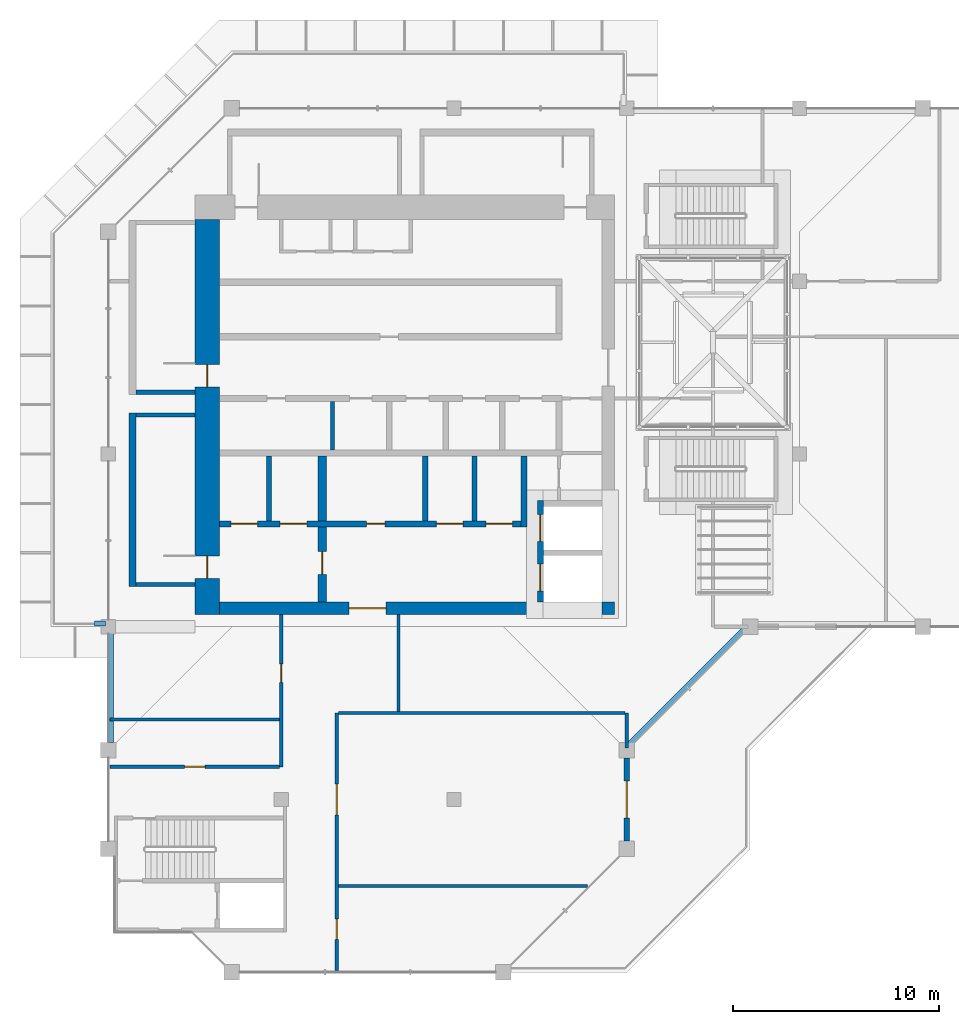
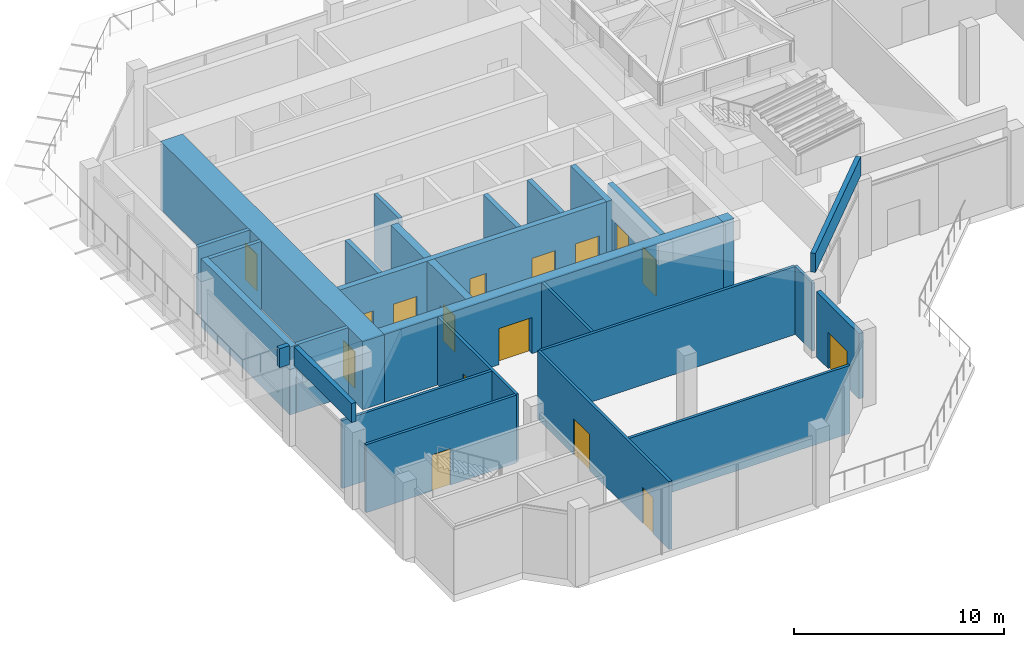
# One storey, part 8 of 15: 28 walls, 16 doors, 16 openings.
"""IFC4 building model written with IfcOpenShell, lengths in metres."""

from ifc_helpers import new_model, si_unit, direction, frame, frame_2d, origin, place, context, subcontext, project, spatial, rectangle, extrude, material, layer, layer_set, type_object, element, fill, save


model = new_model("IFC4")

# Units and contexts
model_context = context("Model", 3, precision=1e-05, world=origin(), true_north=direction((0.0, 1.0)))
body_context = subcontext(model_context, "Body", "Model", "MODEL_VIEW")
ifc_project = project(units=[si_unit("LENGTHUNIT", "METRE"), si_unit("AREAUNIT", "SQUARE_METRE"), si_unit("VOLUMEUNIT", "CUBIC_METRE"), si_unit("PLANEANGLEUNIT", "RADIAN"), si_unit("MASSUNIT", "GRAM", prefix="KILO")], contexts=[model_context])

# Site, building, storey
site_placement = place(None, origin())
site = spatial("IfcSite", under=ifc_project, at=site_placement, CompositionType="ELEMENT")
building_placement = place(site_placement, origin())
building = spatial("IfcBuilding", under=site, at=building_placement, Name="Kawkab Arch Medical Tower", CompositionType="ELEMENT")
storey_placement = place(building_placement, frame((0.0, 0.0, 332.199951171875)))
storey = spatial("IfcBuildingStorey", under=building, at=storey_placement, Name="L77", CompositionType="ELEMENT", Elevation=332.199951171875)

# Wall, openings, doors
ifc_material_1 = material(Name="Concrete C40/50", Category="concrete")
ifc_layer_1 = layer(ifc_material_1, 1.199951171875)
ifc_layer_set_1 = layer_set([ifc_layer_1], Name="Concrete C40/50")
wall_type_1 = type_object("IfcWallType", Name="Core ring wall 1200 C40/50", PredefinedType="SHEAR", material=ifc_layer_set_1)
wall_1_placement = place(storey_placement, frame((4.800048828125, -24.60009765625, 0.0), z_axis=(0.0, 0.0, 1.0), x_axis=(0.0, 1.0, 0.0)))
wall_1 = element("IfcWall", 1, at=wall_1_placement, inside=storey, type_object=wall_type_1, Name="L77 core wall", PredefinedType="SHEAR", context=body_context, shape_type="SweptSolid", body=[
    extrude(rectangle(XDim=19.2001953125, YDim=1.199951171875, at=frame_2d((9.60009765625, 0.0))), origin(), (0.0, 0.0, 1.0), 3.949951171875),
])
opening_1_placement = place(wall_1_placement, frame((11.050048828125, 0.0, 0.0)))
opening_1 = element("IfcOpeningElement", 2, at=opening_1_placement, cuts=wall_1, Name="Opening SD", PredefinedType="OPENING", context=body_context, shape_type="SweptSolid", body=[
    extrude(rectangle(XDim=1.10009765625, YDim=2.10009765625, at=frame_2d((0.550048828125, 1.050048828125))), frame((0.0, 0.60986328125, 0.0), z_axis=(0.0, -1.0, 0.0), x_axis=(1.0, 0.0, 0.0)), (0.0, 0.0, 1.0), 1.219970703125),
])
opening_2_placement = place(wall_1_placement, frame((1.75, 0.0, 0.0)))
opening_2 = element("IfcOpeningElement", 3, at=opening_2_placement, cuts=wall_1, Name="Opening SD", PredefinedType="OPENING", context=body_context, shape_type="SweptSolid", body=[
    extrude(rectangle(XDim=1.10009765625, YDim=2.10009765625, at=frame_2d((0.550048828125, 1.050048828125))), frame((0.0, 0.60986328125, 0.0), z_axis=(0.0, -1.0, 0.0), x_axis=(1.0, 0.0, 0.0)), (0.0, 0.0, 1.0), 1.219970703125),
])
ifc_material_2 = material(Name="Hollow metal fire door leaf")
door_type_1 = type_object("IfcDoorType", Name="Exit stair door 1100", OperationType="SINGLE_SWING_LEFT", PredefinedType="DOOR", material=ifc_material_2)
door_1_placement = place(opening_1_placement, origin())
door_1 = element("IfcDoor", 4, at=door_1_placement, inside=storey, type_object=door_type_1, Name="L77 Exit stair ST1 door", OperationType="SINGLE_SWING_LEFT", OverallHeight=2.10009765625, OverallWidth=1.10009765625, PredefinedType="DOOR", context=body_context, shape_type="SweptSolid", body=[
    extrude(rectangle(XDim=1.10009765625, YDim=2.10009765625, at=frame_2d((0.550048828125, 1.050048828125))), frame((0.0, 0.02490234375, 0.0), z_axis=(0.0, -1.0, 0.0), x_axis=(1.0, 0.0, 0.0)), (0.0, 0.0, 1.0), 0.050048828125),
])
fill(opening_1, door_1)
door_2_placement = place(opening_2_placement, origin())
door_2 = element("IfcDoor", 5, at=door_2_placement, inside=storey, type_object=door_type_1, Name="L77 Exit stair ST2 door", OperationType="SINGLE_SWING_LEFT", OverallHeight=2.10009765625, OverallWidth=1.10009765625, PredefinedType="DOOR", context=body_context, shape_type="SweptSolid", body=[
    extrude(rectangle(XDim=1.10009765625, YDim=2.10009765625, at=frame_2d((0.550048828125, 1.050048828125))), frame((0.0, 0.02490234375, 0.0), z_axis=(0.0, -1.0, 0.0), x_axis=(1.0, 0.0, 0.0)), (0.0, 0.0, 1.0), 0.050048828125),
])
fill(opening_2, door_2)

# Wall, opening, door
ifc_material_3 = material(Name="Concrete C40/50", Category="concrete")
ifc_layer_2 = layer(ifc_material_3, 0.60009765625)
ifc_layer_set_2 = layer_set([ifc_layer_2], Name="Concrete C40/50")
wall_type_2 = type_object("IfcWallType", Name="Core ring wall 600 C40/50", PredefinedType="SHEAR", material=ifc_layer_set_2)
wall_2_placement = place(storey_placement, frame((5.39990234375, -24.300048828125, 0.0), z_axis=(0.0, 0.0, 1.0), x_axis=(1.0, 0.0, 0.0)))
wall_2 = element("IfcWall", 6, at=wall_2_placement, inside=storey, type_object=wall_type_2, Name="L77 core wall", PredefinedType="SHEAR", context=body_context, shape_type="SweptSolid", body=[
    extrude(rectangle(XDim=18.60009765625, YDim=0.60009765625, at=frame_2d((9.300048828125, 0.0))), origin(), (0.0, 0.0, 1.0), 3.949951171875),
])
opening_3_placement = place(wall_2_placement, frame((6.300048828125, 0.0, 0.0)))
opening_3 = element("IfcOpeningElement", 7, at=opening_3_placement, cuts=wall_2, Name="Opening PD", PredefinedType="OPENING", context=body_context, shape_type="SweptSolid", body=[
    extrude(rectangle(XDim=1.800048828125, YDim=2.10009765625, at=frame_2d((0.89990234375, 1.050048828125))), frame((0.0, 0.31005859375, 0.0), z_axis=(0.0, -1.0, 0.0), x_axis=(1.0, 0.0, 0.0)), (0.0, 0.0, 1.0), 0.6201171875),
])
ifc_material_4 = material(Name="Hollow metal fire door leaf")
door_type_2 = type_object("IfcDoorType", Name="Core entrance doors 1800", OperationType="DOUBLE_DOOR_SINGLE_SWING", PredefinedType="DOOR", material=ifc_material_4)
door_3_placement = place(opening_3_placement, origin())
door_3 = element("IfcDoor", 8, at=door_3_placement, inside=storey, type_object=door_type_2, Name="L77 South entrance doors", OperationType="DOUBLE_DOOR_SINGLE_SWING", OverallHeight=2.10009765625, OverallWidth=1.800048828125, PredefinedType="DOOR", context=body_context, shape_type="SweptSolid", body=[
    extrude(rectangle(XDim=1.800048828125, YDim=2.10009765625, at=frame_2d((0.89990234375, 1.050048828125))), frame((0.0, 0.02490234375, 0.0), z_axis=(0.0, -1.0, 0.0), x_axis=(1.0, 0.0, 0.0)), (0.0, 0.0, 1.0), 0.050048828125),
])
fill(opening_3, door_3)

# Walls
wall_3_placement = place(storey_placement, frame((24.300048828125, -24.60009765625, 0.0), z_axis=(0.0, 0.0, 1.0), x_axis=(0.0, 1.0, 0.0)))
element("IfcWall", 9, at=wall_3_placement, inside=storey, type_object=wall_type_2, Name="L77 core wall", PredefinedType="SHEAR", context=body_context, shape_type="SweptSolid", body=[
    extrude(rectangle(XDim=0.60009765625, YDim=0.60009765625, at=frame_2d((0.300048828125, 0.0))), origin(), (0.0, 0.0, 1.0), 3.949951171875),
])
ifc_material_5 = material(Name="Concrete C60/75", Category="concrete")
ifc_layer_3 = layer(ifc_material_5, 0.25)
ifc_layer_set_3 = layer_set([ifc_layer_3], Name="Concrete C60/75")
wall_type_3 = type_object("IfcWallType", Name="Core shear wall 250 C60/75", PredefinedType="SHEAR", material=ifc_layer_set_3)
for number, where, z_axis, x_axis, name in (
    (10, (7.800048828125, -20.050048828125, 0.0), (0.0, 0.0, 1.0), (0.0, 1.0, 0.0), "L77 core shear wall"),
    (11, (15.39990234375, -20.050048828125, 0.0), (0.0, 0.0, 1.0), (0.0, 1.0, 0.0), "L77 core shear wall"),
    (12, (17.800048828125, -20.050048828125, 0.0), (0.0, 0.0, 1.0), (0.0, 1.0, 0.0), "L77 core shear wall"),
):
    element("IfcWall", number, at=place(storey_placement, frame(where, z_axis=z_axis, x_axis=x_axis)), inside=storey, type_object=wall_type_3, Name=name, PredefinedType="SHEAR", context=body_context, shape_type="SweptSolid", body=[
        extrude(rectangle(XDim=3.150146484375, YDim=0.25, at=frame_2d((1.5751953125, 0.0))), origin(), (0.0, 0.0, 1.0), 3.949951171875),
    ])

# Wall, openings, doors
ifc_material_6 = material(Name="Concrete C60/75", Category="concrete")
ifc_layer_4 = layer(ifc_material_6, 0.300048828125)
ifc_layer_set_4 = layer_set([ifc_layer_4], Name="Concrete C60/75")
wall_type_4 = type_object("IfcWallType", Name="Core shear wall 300 C60/75", PredefinedType="SHEAR", material=ifc_layer_set_4)
wall_4_placement = place(storey_placement, frame((5.39990234375, -20.199951171875, 0.0), z_axis=(0.0, 0.0, 1.0), x_axis=(1.0, 0.0, 0.0)))
wall_4 = element("IfcWall", 13, at=wall_4_placement, inside=storey, type_object=wall_type_4, Name="L77 core shear wall", PredefinedType="SHEAR", context=body_context, shape_type="SweptSolid", body=[
    extrude(rectangle(XDim=14.650146484375, YDim=0.300048828125, at=frame_2d((7.3251953125, 0.0))), origin(), (0.0, 0.0, 1.0), 3.949951171875),
])
opening_4_placement = place(wall_4_placement, frame((10.550048828125, 0.0, 0.0)))
opening_4 = element("IfcOpeningElement", 14, at=opening_4_placement, cuts=wall_4, Name="Opening LD2", PredefinedType="OPENING", context=body_context, shape_type="SweptSolid", body=[
    extrude(rectangle(XDim=1.300048828125, YDim=2.10009765625, at=frame_2d((0.64990234375, 1.050048828125))), frame((0.0, 0.159912109375, 0.0), z_axis=(0.0, -1.0, 0.0), x_axis=(1.0, 0.0, 0.0)), (0.0, 0.0, 1.0), 0.320068359375),
])
opening_5_placement = place(wall_4_placement, frame((12.949951171875, 0.0, 0.0)))
opening_5 = element("IfcOpeningElement", 15, at=opening_5_placement, cuts=wall_4, Name="Opening LD2", PredefinedType="OPENING", context=body_context, shape_type="SweptSolid", body=[
    extrude(rectangle(XDim=1.300048828125, YDim=2.10009765625, at=frame_2d((0.64990234375, 1.050048828125))), frame((0.0, 0.159912109375, 0.0), z_axis=(0.0, -1.0, 0.0), x_axis=(1.0, 0.0, 0.0)), (0.0, 0.0, 1.0), 0.320068359375),
])
opening_6_placement = place(wall_4_placement, frame((0.550048828125, 0.0, 0.0)))
opening_6 = element("IfcOpeningElement", 16, at=opening_6_placement, cuts=wall_4, Name="Opening LD2", PredefinedType="OPENING", context=body_context, shape_type="SweptSolid", body=[
    extrude(rectangle(XDim=1.300048828125, YDim=2.10009765625, at=frame_2d((0.64990234375, 1.050048828125))), frame((0.0, 0.159912109375, 0.0), z_axis=(0.0, -1.0, 0.0), x_axis=(1.0, 0.0, 0.0)), (0.0, 0.0, 1.0), 0.320068359375),
])
opening_7_placement = place(wall_4_placement, frame((2.949951171875, 0.0, 0.0)))
opening_7 = element("IfcOpeningElement", 17, at=opening_7_placement, cuts=wall_4, Name="Opening LD2", PredefinedType="OPENING", context=body_context, shape_type="SweptSolid", body=[
    extrude(rectangle(XDim=1.300048828125, YDim=2.10009765625, at=frame_2d((0.64990234375, 1.050048828125))), frame((0.0, 0.159912109375, 0.0), z_axis=(0.0, -1.0, 0.0), x_axis=(1.0, 0.0, 0.0)), (0.0, 0.0, 1.0), 0.320068359375),
])
opening_8_placement = place(wall_4_placement, frame((7.14990234375, 0.0, 0.0)))
opening_8 = element("IfcOpeningElement", 18, at=opening_8_placement, cuts=wall_4, Name="Opening RD", PredefinedType="OPENING", context=body_context, shape_type="SweptSolid", body=[
    extrude(rectangle(XDim=0.89990234375, YDim=2.10009765625, at=frame_2d((0.449951171875, 1.050048828125))), frame((0.0, 0.159912109375, 0.0), z_axis=(0.0, -1.0, 0.0), x_axis=(1.0, 0.0, 0.0)), (0.0, 0.0, 1.0), 0.320068359375),
])
ifc_material_7 = material(Name="Hollow metal fire door leaf")
door_type_3 = type_object("IfcDoorType", Name="Core room door 900", OperationType="SINGLE_SWING_LEFT", PredefinedType="DOOR", material=ifc_material_7)
door_4_placement = place(opening_8_placement, origin())
door_4 = element("IfcDoor", 19, at=door_4_placement, inside=storey, type_object=door_type_3, Name="L77 Linen store door", OperationType="SINGLE_SWING_LEFT", OverallHeight=2.10009765625, OverallWidth=0.89990234375, PredefinedType="DOOR", context=body_context, shape_type="SweptSolid", body=[
    extrude(rectangle(XDim=0.89990234375, YDim=2.10009765625, at=frame_2d((0.449951171875, 1.050048828125))), frame((0.0, 0.02490234375, 0.0), z_axis=(0.0, -1.0, 0.0), x_axis=(1.0, 0.0, 0.0)), (0.0, 0.0, 1.0), 0.050048828125),
])
fill(opening_8, door_4)
ifc_material_8 = material(Name="Stainless steel lift door leaf", Category="steel")
door_type_4 = type_object("IfcDoorType", Name="Lift landing door 1300", OperationType="DOUBLE_DOOR_SLIDING", PredefinedType="DOOR", material=ifc_material_8)
door_5_placement = place(opening_4_placement, origin())
door_5 = element("IfcDoor", 20, at=door_5_placement, inside=storey, type_object=door_type_4, Name="L77 Lift landing door BD3", OperationType="DOUBLE_DOOR_SLIDING", OverallHeight=2.10009765625, OverallWidth=1.300048828125, PredefinedType="DOOR", context=body_context, shape_type="SweptSolid", body=[
    extrude(rectangle(XDim=1.300048828125, YDim=2.10009765625, at=frame_2d((0.64990234375, 1.050048828125))), frame((0.0, 0.02490234375, 0.0), z_axis=(0.0, -1.0, 0.0), x_axis=(1.0, 0.0, 0.0)), (0.0, 0.0, 1.0), 0.050048828125),
])
fill(opening_4, door_5)
door_6_placement = place(opening_5_placement, origin())
door_6 = element("IfcDoor", 21, at=door_6_placement, inside=storey, type_object=door_type_4, Name="L77 Lift landing door BD4", OperationType="DOUBLE_DOOR_SLIDING", OverallHeight=2.10009765625, OverallWidth=1.300048828125, PredefinedType="DOOR", context=body_context, shape_type="SweptSolid", body=[
    extrude(rectangle(XDim=1.300048828125, YDim=2.10009765625, at=frame_2d((0.64990234375, 1.050048828125))), frame((0.0, 0.02490234375, 0.0), z_axis=(0.0, -1.0, 0.0), x_axis=(1.0, 0.0, 0.0)), (0.0, 0.0, 1.0), 0.050048828125),
])
fill(opening_5, door_6)
door_7_placement = place(opening_6_placement, origin())
door_7 = element("IfcDoor", 22, at=door_7_placement, inside=storey, type_object=door_type_4, Name="L77 Lift landing door FL1", OperationType="DOUBLE_DOOR_SLIDING", OverallHeight=2.10009765625, OverallWidth=1.300048828125, PredefinedType="DOOR", context=body_context, shape_type="SweptSolid", body=[
    extrude(rectangle(XDim=1.300048828125, YDim=2.10009765625, at=frame_2d((0.64990234375, 1.050048828125))), frame((0.0, 0.02490234375, 0.0), z_axis=(0.0, -1.0, 0.0), x_axis=(1.0, 0.0, 0.0)), (0.0, 0.0, 1.0), 0.050048828125),
])
fill(opening_6, door_7)
door_8_placement = place(opening_7_placement, origin())
door_8 = element("IfcDoor", 23, at=door_8_placement, inside=storey, type_object=door_type_4, Name="L77 Lift landing door FL2", OperationType="DOUBLE_DOOR_SLIDING", OverallHeight=2.10009765625, OverallWidth=1.300048828125, PredefinedType="DOOR", context=body_context, shape_type="SweptSolid", body=[
    extrude(rectangle(XDim=1.300048828125, YDim=2.10009765625, at=frame_2d((0.64990234375, 1.050048828125))), frame((0.0, 0.02490234375, 0.0), z_axis=(0.0, -1.0, 0.0), x_axis=(1.0, 0.0, 0.0)), (0.0, 0.0, 1.0), 0.050048828125),
])
fill(opening_7, door_8)

# Wall
wall_5_placement = place(storey_placement, frame((20.199951171875, -20.35009765625, 0.0), z_axis=(0.0, 0.0, 1.0), x_axis=(0.0, 1.0, 0.0)))
element("IfcWall", 24, at=wall_5_placement, inside=storey, type_object=wall_type_4, Name="L77 core shear wall", PredefinedType="SHEAR", context=body_context, shape_type="SweptSolid", body=[
    extrude(rectangle(XDim=3.4501953125, YDim=0.300048828125, at=frame_2d((1.72509765625, 0.0))), origin(), (0.0, 0.0, 1.0), 3.949951171875),
])

# Wall, openings, doors
wall_6_placement = place(storey_placement, frame((21.0, -24.0, 0.0), z_axis=(0.0, 0.0, 1.0), x_axis=(0.0, 1.0, 0.0)))
wall_6 = element("IfcWall", 25, at=wall_6_placement, inside=storey, type_object=wall_type_4, Name="L77 core shear wall", PredefinedType="SHEAR", context=body_context, shape_type="SweptSolid", body=[
    extrude(rectangle(XDim=4.949951171875, YDim=0.300048828125, at=frame_2d((2.47509765625, 0.0))), origin(), (0.0, 0.0, 1.0), 3.949951171875),
])
opening_9_placement = place(wall_6_placement, frame((2.949951171875, 0.0, 0.0)))
opening_9 = element("IfcOpeningElement", 26, at=opening_9_placement, cuts=wall_6, Name="Opening LD2", PredefinedType="OPENING", context=body_context, shape_type="SweptSolid", body=[
    extrude(rectangle(XDim=1.300048828125, YDim=2.10009765625, at=frame_2d((0.64990234375, 1.050048828125))), frame((0.0, 0.159912109375, 0.0), z_axis=(0.0, -1.0, 0.0), x_axis=(1.0, 0.0, 0.0)), (0.0, 0.0, 1.0), 0.320068359375),
])
opening_10_placement = place(wall_6_placement, frame((0.550048828125, 0.0, 0.0)))
opening_10 = element("IfcOpeningElement", 27, at=opening_10_placement, cuts=wall_6, Name="Opening LD2", PredefinedType="OPENING", context=body_context, shape_type="SweptSolid", body=[
    extrude(rectangle(XDim=1.300048828125, YDim=2.10009765625, at=frame_2d((0.64990234375, 1.050048828125))), frame((0.0, 0.159912109375, 0.0), z_axis=(0.0, -1.0, 0.0), x_axis=(1.0, 0.0, 0.0)), (0.0, 0.0, 1.0), 0.320068359375),
])
door_9_placement = place(opening_9_placement, origin())
door_9 = element("IfcDoor", 28, at=door_9_placement, inside=storey, type_object=door_type_4, Name="L77 Lift landing door BD1", OperationType="DOUBLE_DOOR_SLIDING", OverallHeight=2.10009765625, OverallWidth=1.300048828125, PredefinedType="DOOR", context=body_context, shape_type="SweptSolid", body=[
    extrude(rectangle(XDim=1.300048828125, YDim=2.10009765625, at=frame_2d((0.64990234375, 1.050048828125))), frame((0.0, 0.02490234375, 0.0), z_axis=(0.0, -1.0, 0.0), x_axis=(1.0, 0.0, 0.0)), (0.0, 0.0, 1.0), 0.050048828125),
])
fill(opening_9, door_9)
door_10_placement = place(opening_10_placement, origin())
door_10 = element("IfcDoor", 29, at=door_10_placement, inside=storey, type_object=door_type_4, Name="L77 Lift landing door BD2", OperationType="DOUBLE_DOOR_SLIDING", OverallHeight=2.10009765625, OverallWidth=1.300048828125, PredefinedType="DOOR", context=body_context, shape_type="SweptSolid", body=[
    extrude(rectangle(XDim=1.300048828125, YDim=2.10009765625, at=frame_2d((0.64990234375, 1.050048828125))), frame((0.0, 0.02490234375, 0.0), z_axis=(0.0, -1.0, 0.0), x_axis=(1.0, 0.0, 0.0)), (0.0, 0.0, 1.0), 0.050048828125),
])
fill(opening_10, door_10)

# Wall, opening, door
ifc_material_9 = material(Name="Concrete C60/75", Category="concrete")
ifc_layer_5 = layer(ifc_material_9, 0.39990234375)
ifc_layer_set_5 = layer_set([ifc_layer_5], Name="Concrete C60/75")
wall_type_5 = type_object("IfcWallType", Name="Core shear wall 400 C60/75", PredefinedType="SHEAR", material=ifc_layer_set_5)
wall_7_placement = place(storey_placement, frame((10.39990234375, -24.0, 0.0), z_axis=(0.0, 0.0, 1.0), x_axis=(0.0, 1.0, 0.0)))
wall_7 = element("IfcWall", 30, at=wall_7_placement, inside=storey, type_object=wall_type_5, Name="L77 core shear wall", PredefinedType="SHEAR", context=body_context, shape_type="SweptSolid", body=[
    extrude(rectangle(XDim=3.64990234375, YDim=0.39990234375, at=frame_2d((1.824951171875, 0.0))), origin(), (0.0, 0.0, 1.0), 3.949951171875),
])
opening_11_placement = place(wall_7_placement, frame((1.35009765625, 0.0, 0.0)))
opening_11 = element("IfcOpeningElement", 31, at=opening_11_placement, cuts=wall_7, Name="Opening FD", PredefinedType="OPENING", context=body_context, shape_type="SweptSolid", body=[
    extrude(rectangle(XDim=1.10009765625, YDim=2.10009765625, at=frame_2d((0.550048828125, 1.050048828125))), frame((0.0, 0.2099609375, 0.0), z_axis=(0.0, -1.0, 0.0), x_axis=(1.0, 0.0, 0.0)), (0.0, 0.0, 1.0), 0.419921875),
])
ifc_material_10 = material(Name="Hollow metal fire door leaf")
door_type_5 = type_object("IfcDoorType", Name="Firefighting lobby door 1100", OperationType="SINGLE_SWING_LEFT", PredefinedType="DOOR", material=ifc_material_10)
door_11_placement = place(opening_11_placement, origin())
door_11 = element("IfcDoor", 32, at=door_11_placement, inside=storey, type_object=door_type_5, Name="L77 Firefighting lobby door", OperationType="SINGLE_SWING_LEFT", OverallHeight=2.10009765625, OverallWidth=1.10009765625, PredefinedType="DOOR", context=body_context, shape_type="SweptSolid", body=[
    extrude(rectangle(XDim=1.10009765625, YDim=2.10009765625, at=frame_2d((0.550048828125, 1.050048828125))), frame((0.0, 0.02490234375, 0.0), z_axis=(0.0, -1.0, 0.0), x_axis=(1.0, 0.0, 0.0)), (0.0, 0.0, 1.0), 0.050048828125),
])
fill(opening_11, door_11)

# Walls
wall_8_placement = place(storey_placement, frame((10.39990234375, -20.050048828125, 0.0), z_axis=(0.0, 0.0, 1.0), x_axis=(0.0, 1.0, 0.0)))
element("IfcWall", 33, at=wall_8_placement, inside=storey, type_object=wall_type_5, Name="L77 core shear wall", PredefinedType="SHEAR", context=body_context, shape_type="SweptSolid", body=[
    extrude(rectangle(XDim=3.150146484375, YDim=0.39990234375, at=frame_2d((1.5751953125, 0.0))), origin(), (0.0, 0.0, 1.0), 3.949951171875),
])
ifc_material_11 = material(Name="Bronze clad insulated wall panel")
ifc_layer_6 = layer(ifc_material_11, 0.25)
ifc_layer_set_6 = layer_set([ifc_layer_6], Name="Bronze clad insulated wall panel")
wall_type_6 = type_object("IfcWallType", Name="Crown parapet 250", PredefinedType="SOLIDWALL", material=ifc_layer_set_6)
wall_9_placement = place(storey_placement, frame((31.111572265625, -25.111572265625, 4.5), z_axis=(0.0, 0.0, 1.0), x_axis=(-0.707106781187, -0.707106781187, 0.0)))
element("IfcWall", 34, at=wall_9_placement, inside=storey, type_object=wall_type_6, Name="Parapet, helipad lobby wing 2", PredefinedType="SOLIDWALL", context=body_context, shape_type="SweptSolid", body=[
    extrude(rectangle(XDim=8.310302734375, YDim=0.25, at=frame_2d((4.1552734375, 0.0))), origin(), (0.0, 0.0, 1.0), 1.10009765625),
])
wall_10_placement = place(storey_placement, frame((0.125, -30.827392578125, 4.5), z_axis=(0.0, 0.0, 1.0), x_axis=(0.0, 1.0, 0.0)))
element("IfcWall", 35, at=wall_10_placement, inside=storey, type_object=wall_type_6, Name="Parapet, helipad lobby wing 4", PredefinedType="SOLIDWALL", context=body_context, shape_type="SweptSolid", body=[
    extrude(rectangle(XDim=5.452392578125, YDim=0.25, at=frame_2d((2.72607421875, 0.0))), origin(), (0.0, 0.0, 1.0), 1.10009765625),
])
wall_11_placement = place(storey_placement, frame((-0.132080078125, -25.050048828125, 4.5), z_axis=(0.0, 0.0, 1.0), x_axis=(-1.0, 0.0, 0.0)))
element("IfcWall", 36, at=wall_11_placement, inside=storey, type_object=wall_type_6, Name="Helideck parapet 1", PredefinedType="SOLIDWALL", context=body_context, shape_type="SweptSolid", body=[
    extrude(rectangle(XDim=0.551025390625, YDim=0.25, at=frame_2d((0.275390625, 0.0))), origin(), (0.0, 0.0, 1.0), 1.10009765625),
])

# Wall, opening, door
ifc_material_12 = material(Name="Bronze clad insulated wall panel")
ifc_layer_7 = layer(ifc_material_12, 0.25)
ifc_layer_set_7 = layer_set([ifc_layer_7], Name="Bronze clad insulated wall panel")
wall_type_7 = type_object("IfcWallType", Name="External wall bay 250", PredefinedType="SOLIDWALL", material=ifc_layer_set_7)
wall_12_placement = place(storey_placement, frame((25.199951171875, -35.625, 0.0), z_axis=(0.0, 0.0, 1.0), x_axis=(0.0, 1.0, 0.0)))
wall_12 = element("IfcWall", 37, at=wall_12_placement, inside=storey, type_object=wall_type_7, Name="External wall bay L77.R09.1.1", PredefinedType="SOLIDWALL", context=body_context, shape_type="SweptSolid", body=[
    extrude(rectangle(XDim=4.050048828125, YDim=0.25, at=frame_2d((2.02490234375, 0.0))), origin(), (0.0, 0.0, 1.0), 3.7900390625),
])
opening_12_placement = place(wall_12_placement, frame((1.125, 0.0, 0.0)))
opening_12 = element("IfcOpeningElement", 38, at=opening_12_placement, cuts=wall_12, Name="Opening H77-701", PredefinedType="OPENING", context=body_context, shape_type="SweptSolid", body=[
    extrude(rectangle(XDim=1.800048828125, YDim=2.10009765625, at=frame_2d((0.89990234375, 1.050048828125))), frame((0.0, 0.135009765625, 0.0), z_axis=(0.0, -1.0, 0.0), x_axis=(1.0, 0.0, 0.0)), (0.0, 0.0, 1.0), 0.27001953125),
])
ifc_material_13 = material(Name="Bronze anodised aluminium door with tinted glass", Category="aluminium")
door_type_6 = type_object("IfcDoorType", Name="Double external door 1800 x 2100", OperationType="DOUBLE_DOOR_SINGLE_SWING", PredefinedType="DOOR", material=ifc_material_13)
door_12_placement = place(opening_12_placement, origin())
door_12 = element("IfcDoor", 39, at=door_12_placement, inside=storey, type_object=door_type_6, Name="External door L77.R09.1.1", OperationType="DOUBLE_DOOR_SINGLE_SWING", OverallHeight=2.10009765625, OverallWidth=1.800048828125, PredefinedType="DOOR", context=body_context, shape_type="SweptSolid", body=[
    extrude(rectangle(XDim=1.800048828125, YDim=2.10009765625, at=frame_2d((0.89990234375, 1.050048828125))), frame((0.0, 0.02490234375, 0.0), z_axis=(0.0, -1.0, 0.0), x_axis=(1.0, 0.0, 0.0)), (0.0, 0.0, 1.0), 0.050048828125),
])
fill(opening_12, door_12)

# Walls
ifc_material_14 = material(Name="Dense concrete blockwork", Category="masonry")
ifc_layer_8 = layer(ifc_material_14, 0.199951171875)
ifc_layer_set_8 = layer_set([ifc_layer_8], Name="Dense concrete blockwork")
wall_type_8 = type_object("IfcWallType", Name="Lift shaft partition 200", PredefinedType="PARTITIONING", material=ifc_layer_set_8)
wall_13_placement = place(storey_placement, frame((10.89990234375, -16.60009765625, 0.0), z_axis=(0.0, 0.0, 1.0), x_axis=(0.0, 1.0, 0.0)))
element("IfcWall", 40, at=wall_13_placement, inside=storey, type_object=wall_type_8, Name="L77 lift shaft partition", PredefinedType="PARTITIONING", context=body_context, shape_type="SweptSolid", body=[
    extrude(rectangle(XDim=2.35009765625, YDim=0.199951171875, at=frame_2d((1.175048828125, 0.0))), origin(), (0.0, 0.0, 1.0), 3.949951171875),
])
ifc_material_15 = material(Name="Gypsum board partition on steel studs, mineral wool", Category="steel")
ifc_layer_9 = layer(ifc_material_15, 0.14990234375)
ifc_layer_set_9 = layer_set([ifc_layer_9], Name="Gypsum board partition on steel studs, mineral wool")
wall_type_9 = type_object("IfcWallType", Name="Partition 150", PredefinedType="PARTITIONING", material=ifc_layer_set_9)
wall_14_placement = place(storey_placement, frame((11.175048828125, -37.800048828125, 0.0), z_axis=(0.0, 0.0, 1.0), x_axis=(1.0, 0.0, 0.0)))
element("IfcWall", 41, at=wall_14_placement, inside=storey, type_object=wall_type_9, Name="Partition 150 w001", PredefinedType="PARTITIONING", context=body_context, shape_type="SweptSolid", body=[
    extrude(rectangle(XDim=12.112060546875, YDim=0.14990234375, at=frame_2d((6.05615234375, 0.0))), origin(), (0.0, 0.0, 1.0), 3.949951171875),
])

# Wall, opening, door
wall_15_placement = place(storey_placement, frame((0.080078125, -32.007080078125, 0.0), z_axis=(0.0, 0.0, 1.0), x_axis=(1.0, 0.0, 0.0)))
wall_15 = element("IfcWall", 42, at=wall_15_placement, inside=storey, type_object=wall_type_9, Name="Partition 150 w002", PredefinedType="PARTITIONING", context=body_context, shape_type="SweptSolid", body=[
    extrude(rectangle(XDim=8.244873046875, YDim=0.14990234375, at=frame_2d((4.12255859375, 0.0))), origin(), (0.0, 0.0, 1.0), 3.949951171875),
])
opening_13_placement = place(wall_15_placement, frame((3.6201171875, 0.0, 0.0)))
opening_13 = element("IfcOpeningElement", 43, at=opening_13_placement, cuts=wall_15, Name="Opening H77-011", PredefinedType="OPENING", context=body_context, shape_type="SweptSolid", body=[
    extrude(rectangle(XDim=1.0, YDim=2.10009765625, at=frame_2d((0.5, 1.050048828125))), frame((0.0, 0.0849609375, 0.0), z_axis=(0.0, -1.0, 0.0), x_axis=(1.0, 0.0, 0.0)), (0.0, 0.0, 1.0), 0.169921875),
])
ifc_material_16 = material(Name="Hollow metal door leaf")
door_type_7 = type_object("IfcDoorType", Name="Single door 1000x2100 FD30S", OperationType="NOTDEFINED", PredefinedType="DOOR", material=ifc_material_16)
door_13_placement = place(opening_13_placement, origin())
door_13 = element("IfcDoor", 44, at=door_13_placement, inside=storey, type_object=door_type_7, Name="Door H77-011", OperationType="SINGLE_SWING_LEFT", OverallHeight=2.10009765625, OverallWidth=1.0, PredefinedType="DOOR", context=body_context, shape_type="SweptSolid", body=[
    extrude(rectangle(XDim=1.0, YDim=2.10009765625, at=frame_2d((0.5, 1.050048828125))), frame((0.0, 0.02490234375, 0.0), z_axis=(0.0, -1.0, 0.0), x_axis=(1.0, 0.0, 0.0)), (0.0, 0.0, 1.0), 0.050048828125),
])
fill(opening_13, door_13)

# Walls
wall_16_placement = place(storey_placement, frame((0.080078125, -29.699951171875, 0.0), z_axis=(0.0, 0.0, 1.0), x_axis=(1.0, 0.0, 0.0)))
element("IfcWall", 45, at=wall_16_placement, inside=storey, type_object=wall_type_9, Name="Partition 150 w003", PredefinedType="PARTITIONING", context=body_context, shape_type="SweptSolid", body=[
    extrude(rectangle(XDim=8.244873046875, YDim=0.14990234375, at=frame_2d((4.12255859375, 0.0))), origin(), (0.0, 0.0, 1.0), 3.949951171875),
])
wall_17_placement = place(storey_placement, frame((11.175048828125, -29.39990234375, 0.0), z_axis=(0.0, 0.0, 1.0), x_axis=(1.0, 0.0, 0.0)))
element("IfcWall", 46, at=wall_17_placement, inside=storey, type_object=wall_type_9, Name="Partition 150 w004", PredefinedType="PARTITIONING", context=body_context, shape_type="SweptSolid", body=[
    extrude(rectangle(XDim=13.949951171875, YDim=0.14990234375, at=frame_2d((6.97509765625, 0.0))), origin(), (0.0, 0.0, 1.0), 3.949951171875),
])

# Wall, opening, door
wall_18_placement = place(storey_placement, frame((8.39990234375, -32.007080078125, 0.0), z_axis=(0.0, 0.0, 1.0), x_axis=(0.0, 1.0, 0.0)))
wall_18 = element("IfcWall", 47, at=wall_18_placement, inside=storey, type_object=wall_type_9, Name="Partition 150 w013", PredefinedType="PARTITIONING", context=body_context, shape_type="SweptSolid", body=[
    extrude(rectangle(XDim=7.406982421875, YDim=0.14990234375, at=frame_2d((3.70361328125, 0.0))), origin(), (0.0, 0.0, 1.0), 3.949951171875),
])
opening_14_placement = place(wall_18_placement, frame((4.10693359375, 0.0, 0.0)))
opening_14 = element("IfcOpeningElement", 48, at=opening_14_placement, cuts=wall_18, Name="Opening H77-007", PredefinedType="OPENING", context=body_context, shape_type="SweptSolid", body=[
    extrude(rectangle(XDim=0.89990234375, YDim=2.10009765625, at=frame_2d((0.449951171875, 1.050048828125))), frame((0.0, 0.0849609375, 0.0), z_axis=(0.0, -1.0, 0.0), x_axis=(1.0, 0.0, 0.0)), (0.0, 0.0, 1.0), 0.169921875),
])
ifc_material_17 = material(Name="Timber door leaf", Category="wood")
door_type_8 = type_object("IfcDoorType", Name="Single door 900x2100", OperationType="NOTDEFINED", PredefinedType="DOOR", material=ifc_material_17)
door_14_placement = place(opening_14_placement, origin())
door_14 = element("IfcDoor", 49, at=door_14_placement, inside=storey, type_object=door_type_8, Name="Door H77-007", OperationType="SINGLE_SWING_RIGHT", OverallHeight=2.10009765625, OverallWidth=0.89990234375, PredefinedType="DOOR", context=body_context, shape_type="SweptSolid", body=[
    extrude(rectangle(XDim=0.89990234375, YDim=2.10009765625, at=frame_2d((0.449951171875, 1.050048828125))), frame((0.0, 0.02490234375, 0.0), z_axis=(0.0, -1.0, 0.0), x_axis=(1.0, 0.0, 0.0)), (0.0, 0.0, 1.0), 0.050048828125),
])
fill(opening_14, door_14)

# Wall, openings, doors
wall_19_placement = place(storey_placement, frame((11.10009765625, -41.919921875, 0.0), z_axis=(0.0, 0.0, 1.0), x_axis=(0.0, 1.0, 0.0)))
wall_19 = element("IfcWall", 50, at=wall_19_placement, inside=storey, type_object=wall_type_9, Name="Partition 150 w014", PredefinedType="PARTITIONING", context=body_context, shape_type="SweptSolid", body=[
    extrude(rectangle(XDim=12.52001953125, YDim=0.14990234375, at=frame_2d((6.260009765625, 0.0))), origin(), (0.0, 0.0, 1.0), 3.949951171875),
])
opening_15_placement = place(wall_19_placement, frame((7.570068359375, 0.0, 0.0)))
opening_15 = element("IfcOpeningElement", 51, at=opening_15_placement, cuts=wall_19, Name="Opening H77-004", PredefinedType="OPENING", context=body_context, shape_type="SweptSolid", body=[
    extrude(rectangle(XDim=1.5, YDim=2.10009765625, at=frame_2d((0.75, 1.050048828125))), frame((0.0, 0.0849609375, 0.0), z_axis=(0.0, -1.0, 0.0), x_axis=(1.0, 0.0, 0.0)), (0.0, 0.0, 1.0), 0.169921875),
])
opening_16_placement = place(wall_19_placement, frame((1.52001953125, 0.0, 0.0)))
opening_16 = element("IfcOpeningElement", 52, at=opening_16_placement, cuts=wall_19, Name="Opening H77-012", PredefinedType="OPENING", context=body_context, shape_type="SweptSolid", body=[
    extrude(rectangle(XDim=1.0, YDim=2.10009765625, at=frame_2d((0.5, 1.050048828125))), frame((0.0, 0.0849609375, 0.0), z_axis=(0.0, -1.0, 0.0), x_axis=(1.0, 0.0, 0.0)), (0.0, 0.0, 1.0), 0.169921875),
])
ifc_material_18 = material(Name="Hollow metal door leaf")
door_type_9 = type_object("IfcDoorType", Name="Double door 1500x2100 FD30S", OperationType="NOTDEFINED", PredefinedType="DOOR", material=ifc_material_18)
door_15_placement = place(opening_15_placement, origin())
door_15 = element("IfcDoor", 53, at=door_15_placement, inside=storey, type_object=door_type_9, Name="Door H77-004", OperationType="DOUBLE_DOOR_SINGLE_SWING", OverallHeight=2.10009765625, OverallWidth=1.5, PredefinedType="DOOR", context=body_context, shape_type="SweptSolid", body=[
    extrude(rectangle(XDim=1.5, YDim=2.10009765625, at=frame_2d((0.75, 1.050048828125))), frame((0.0, 0.02490234375, 0.0), z_axis=(0.0, -1.0, 0.0), x_axis=(1.0, 0.0, 0.0)), (0.0, 0.0, 1.0), 0.050048828125),
])
fill(opening_15, door_15)
door_16_placement = place(opening_16_placement, origin())
door_16 = element("IfcDoor", 54, at=door_16_placement, inside=storey, type_object=door_type_7, Name="Door H77-012", OperationType="SINGLE_SWING_RIGHT", OverallHeight=2.10009765625, OverallWidth=1.0, PredefinedType="DOOR", context=body_context, shape_type="SweptSolid", body=[
    extrude(rectangle(XDim=1.0, YDim=2.10009765625, at=frame_2d((0.5, 1.050048828125))), frame((0.0, 0.02490234375, 0.0), z_axis=(0.0, -1.0, 0.0), x_axis=(1.0, 0.0, 0.0)), (0.0, 0.0, 1.0), 0.050048828125),
])
fill(opening_16, door_16)

# Walls
wall_20_placement = place(storey_placement, frame((14.10009765625, -29.324951171875, 0.0), z_axis=(0.0, 0.0, 1.0), x_axis=(0.0, 1.0, 0.0)))
element("IfcWall", 55, at=wall_20_placement, inside=storey, type_object=wall_type_9, Name="Partition 150 w015", PredefinedType="PARTITIONING", context=body_context, shape_type="SweptSolid", body=[
    extrude(rectangle(XDim=4.724853515625, YDim=0.14990234375, at=frame_2d((2.3623046875, 0.0))), origin(), (0.0, 0.0, 1.0), 3.949951171875),
])
wall_21_placement = place(storey_placement, frame((25.199951171875, -31.0869140625, 0.0), z_axis=(0.0, 0.0, 1.0), x_axis=(0.0, 1.0, 0.0)))
element("IfcWall", 56, at=wall_21_placement, inside=storey, type_object=wall_type_9, Name="Partition 150 w016", PredefinedType="PARTITIONING", context=body_context, shape_type="SweptSolid", body=[
    extrude(rectangle(XDim=1.68701171875, YDim=0.14990234375, at=frame_2d((0.843505859375, 0.0))), origin(), (0.0, 0.0, 1.0), 3.949951171875),
])
ifc_material_19 = material(Name="Concrete C50/60", Category="concrete")
ifc_layer_10 = layer(ifc_material_19, 0.199951171875)
ifc_layer_set_10 = layer_set([ifc_layer_10], Name="Concrete C50/60")
wall_type_10 = type_object("IfcWallType", Name="Stair enclosure wall 200 C50/60", PredefinedType="SHEAR", material=ifc_layer_set_10)
for number, where, z_axis, x_axis, name in (
    (57, (1.35009765625, -13.800048828125, 0.0), (0.0, 0.0, 1.0), (1.0, 0.0, 0.0), "L77 stair enclosure wall"),
    (58, (1.35009765625, -14.89990234375, 0.0), (0.0, 0.0, 1.0), (1.0, 0.0, 0.0), "L77 stair enclosure wall"),
    (59, (1.35009765625, -23.14990234375, 0.0), (0.0, 0.0, 1.0), (1.0, 0.0, 0.0), "L77 stair enclosure wall"),
):
    element("IfcWall", number, at=place(storey_placement, frame(where, z_axis=z_axis, x_axis=x_axis)), inside=storey, type_object=wall_type_10, Name=name, PredefinedType="SHEAR", context=body_context, shape_type="SweptSolid", body=[
        extrude(rectangle(XDim=2.849853515625, YDim=0.199951171875, at=frame_2d((1.4248046875, 0.0))), origin(), (0.0, 0.0, 1.0), 3.949951171875),
    ])
ifc_material_20 = material(Name="Concrete C50/60", Category="concrete")
ifc_layer_11 = layer(ifc_material_20, 0.35009765625)
ifc_layer_set_11 = layer_set([ifc_layer_11], Name="Concrete C50/60")
wall_type_11 = type_object("IfcWallType", Name="Stair enclosure wall 350 C50/60", PredefinedType="SHEAR", material=ifc_layer_set_11)
wall_22_placement = place(storey_placement, frame((1.175048828125, -23.25, 0.0), z_axis=(0.0, 0.0, 1.0), x_axis=(0.0, 1.0, 0.0)))
element("IfcWall", 60, at=wall_22_placement, inside=storey, type_object=wall_type_11, Name="L77 stair enclosure wall", PredefinedType="SHEAR", context=body_context, shape_type="SweptSolid", body=[
    extrude(rectangle(XDim=8.449951171875, YDim=0.35009765625, at=frame_2d((4.22509765625, 0.0))), origin(), (0.0, 0.0, 1.0), 3.949951171875),
])

save(model, "model.ifc")
